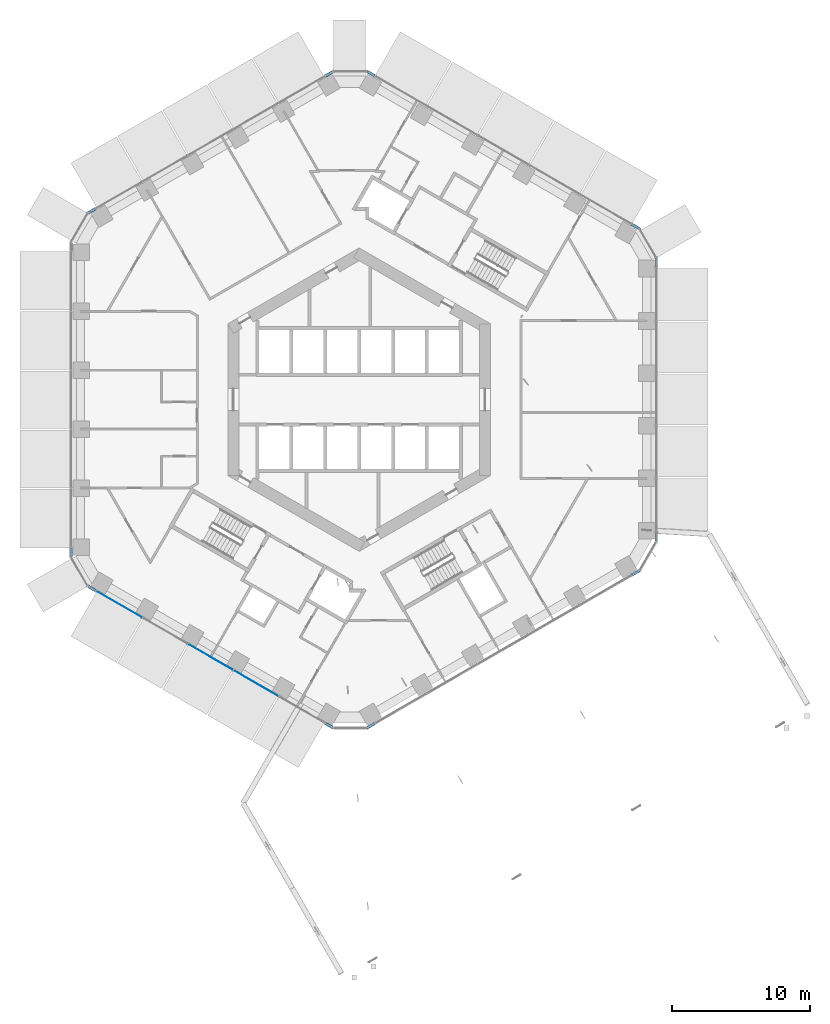
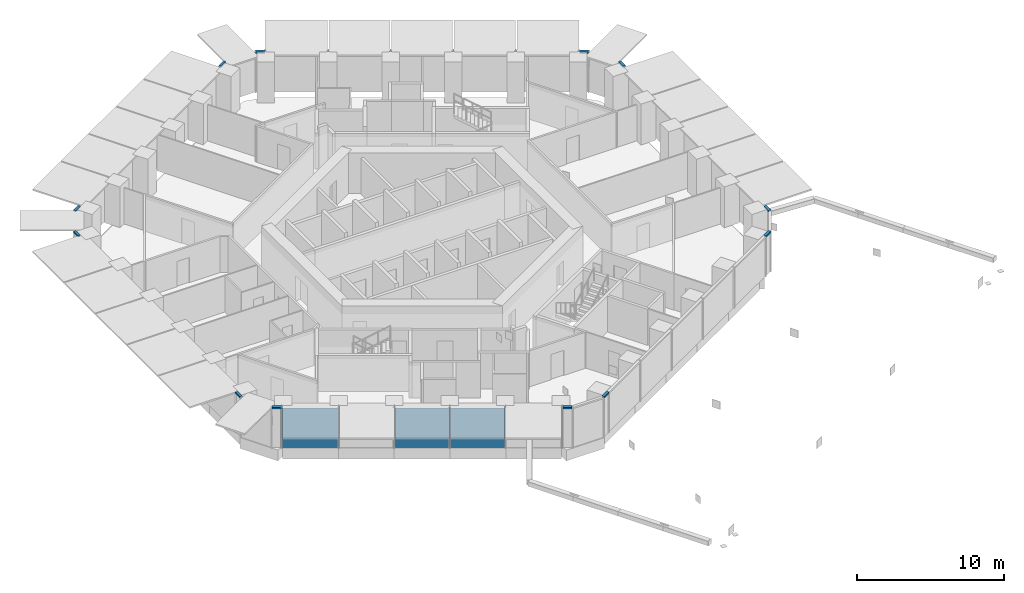
# One storey, part 7 of 22: 12 members, 3 plates, 7 elements without a shape of their own.
"""IFC4 building model written with IfcOpenShell, lengths in metres."""

from ifc_helpers import new_model, si_unit, direction, frame, origin, origin_2d, place, context, subcontext, project, spatial, rectangle, extrude, material, layer, layer_set, material_profile, profile_set, type_object, element, aggregate, save


model = new_model("IFC4")

# Units and contexts
model_context = context("Model", 3, precision=1e-05, world=origin(), true_north=direction((0.0, 1.0)))
body_context = subcontext(model_context, "Body", "Model", "MODEL_VIEW")
ifc_project = project(units=[si_unit("LENGTHUNIT", "METRE"), si_unit("AREAUNIT", "SQUARE_METRE"), si_unit("VOLUMEUNIT", "CUBIC_METRE"), si_unit("PLANEANGLEUNIT", "RADIAN"), si_unit("MASSUNIT", "GRAM", prefix="KILO")], contexts=[model_context])

# Site, building, storey
site_placement = place(None, origin())
site = spatial("IfcSite", under=ifc_project, at=site_placement, CompositionType="ELEMENT")
building_placement = place(site_placement, origin())
building = spatial("IfcBuilding", under=site, at=building_placement, Name="Ayvan Gate Tower", CompositionType="ELEMENT")
storey_placement = place(building_placement, frame((0.0, 0.0, 62.89990234375)))
storey = spatial("IfcBuildingStorey", under=building, at=storey_placement, Name="L16", CompositionType="ELEMENT", Elevation=62.89990234375)

# Curtain wall, members
ifc_material_1 = material(Name="Bronze anodised aluminium", Category="aluminium")
ifc_layer_1 = layer(ifc_material_1, 0.199951171875)
ifc_layer_set_1 = layer_set([ifc_layer_1], Name="Bronze anodised aluminium")
curtain_wall_type_1 = type_object("IfcCurtainWallType", Name="Stick curtain wall CW-6", PredefinedType="NOTDEFINED", material=ifc_layer_set_1)
curtain_wall_1_placement = place(storey_placement, origin())
curtain_wall_1 = element("IfcCurtainWall", 1, at=curtain_wall_1_placement, inside=storey, type_object=curtain_wall_type_1, Name="Stick curtain wall CW-6 L16", PredefinedType="NOTDEFINED")
ifc_material_profile = material_profile(ifc_material_1, rectangle(XDim=0.199951171875, YDim=0.1201171875, at=origin_2d()), Name="Stick curtain wall CW-6 transom 200 x 120")
ifc_profile_set = profile_set([ifc_material_profile], Name="Bronze anodised aluminium")
member_type = type_object("IfcMemberType", Name="Stick curtain wall CW-6 transom 200 x 120", PredefinedType="USERDEFINED", material=ifc_profile_set)
member_1_placement = place(storey_placement, frame((-19.0615234375, 13.802978515625, 3.340087890625), z_axis=(-0.866022959057, -0.500004234368, 0.0), x_axis=(0.500004234368, -0.866022959057, 0.0)))
member_1 = element("IfcMember", 2, at=member_1_placement, type_object=member_type, Name="CW-6 transom 1", ObjectType="TRANSOM", PredefinedType="USERDEFINED", context=body_context, shape_type="SweptSolid", body=[
    extrude(rectangle(XDim=0.199951171875, YDim=0.1201171875, at=origin_2d()), origin(), (0.0, 0.0, 1.0), 0.625),
])
member_2_placement = place(storey_placement, frame((-20.831787109375, 11.362060546875, 3.340087890625), z_axis=(0.0, -1.0, 0.0), x_axis=(1.0, 0.0, 0.0)))
member_2 = element("IfcMember", 3, at=member_2_placement, type_object=member_type, Name="CW-6 transom 2", ObjectType="TRANSOM", PredefinedType="USERDEFINED", context=body_context, shape_type="SweptSolid", body=[
    extrude(rectangle(XDim=0.199951171875, YDim=0.1201171875, at=origin_2d()), origin(), (0.0, 0.0, 1.0), 0.625),
])
aggregate(curtain_wall_1, [member_1, member_2])

curtain_wall_2_placement = place(storey_placement, origin())
curtain_wall_2 = element("IfcCurtainWall", 4, at=curtain_wall_2_placement, inside=storey, type_object=curtain_wall_type_1, Name="Stick curtain wall CW-6 L16", PredefinedType="NOTDEFINED")
member_3_placement = place(storey_placement, frame((-20.831787109375, -10.737060546875, 3.340087890625), z_axis=(0.0, -1.0, 0.0), x_axis=(1.0, 0.0, 0.0)))
member_3 = element("IfcMember", 5, at=member_3_placement, type_object=member_type, Name="CW-6 transom 1", ObjectType="TRANSOM", PredefinedType="USERDEFINED", context=body_context, shape_type="SweptSolid", body=[
    extrude(rectangle(XDim=0.199951171875, YDim=0.1201171875, at=origin_2d()), origin(), (0.0, 0.0, 1.0), 0.625),
])
member_4_placement = place(storey_placement, frame((-19.602783203125, -13.490478515625, 3.340087890625), z_axis=(0.866022959057, -0.500004234368, 0.0), x_axis=(0.500004234368, 0.866022959057, 0.0)))
member_4 = element("IfcMember", 6, at=member_4_placement, type_object=member_type, Name="CW-6 transom 2", ObjectType="TRANSOM", PredefinedType="USERDEFINED", context=body_context, shape_type="SweptSolid", body=[
    extrude(rectangle(XDim=0.199951171875, YDim=0.1201171875, at=origin_2d()), origin(), (0.0, 0.0, 1.0), 0.625),
])
aggregate(curtain_wall_2, [member_3, member_4])

curtain_wall_3_placement = place(storey_placement, origin())
curtain_wall_3 = element("IfcCurtainWall", 7, at=curtain_wall_3_placement, inside=storey, type_object=curtain_wall_type_1, Name="Stick curtain wall CW-6 L16", PredefinedType="NOTDEFINED")
member_5_placement = place(storey_placement, frame((-2.423095703125, -23.409423828125, 3.340087890625), z_axis=(0.866022959057, -0.500004234368, 0.0), x_axis=(0.500004234368, 0.866022959057, 0.0)))
member_5 = element("IfcMember", 8, at=member_5_placement, type_object=member_type, Name="CW-6 transom 1", ObjectType="TRANSOM", PredefinedType="USERDEFINED", context=body_context, shape_type="SweptSolid", body=[
    extrude(rectangle(XDim=0.199951171875, YDim=0.1201171875, at=origin_2d()), origin(), (0.0, 0.0, 1.0), 0.625),
])
member_6_placement = place(storey_placement, frame((0.576171875, -23.721923828125, 3.340087890625), z_axis=(0.866022959057, 0.500004234368, 0.0), x_axis=(-0.500004234368, 0.866022959057, 0.0)))
member_6 = element("IfcMember", 9, at=member_6_placement, type_object=member_type, Name="CW-6 transom 3", ObjectType="TRANSOM", PredefinedType="USERDEFINED", context=body_context, shape_type="SweptSolid", body=[
    extrude(rectangle(XDim=0.199951171875, YDim=0.1201171875, at=origin_2d()), origin(), (0.0, 0.0, 1.0), 0.625),
])
aggregate(curtain_wall_3, [member_5, member_6])

curtain_wall_4_placement = place(storey_placement, origin())
curtain_wall_4 = element("IfcCurtainWall", 10, at=curtain_wall_4_placement, inside=storey, type_object=curtain_wall_type_1, Name="Stick curtain wall CW-6 L16", PredefinedType="NOTDEFINED")
member_7_placement = place(storey_placement, frame((19.71435546875, -12.67236328125, 3.340087890625), z_axis=(0.866022959057, 0.500004234368, 0.0), x_axis=(-0.500004234368, 0.866022959057, 0.0)))
member_7 = element("IfcMember", 11, at=member_7_placement, type_object=member_type, Name="CW-6 transom 1", ObjectType="TRANSOM", PredefinedType="USERDEFINED", context=body_context, shape_type="SweptSolid", body=[
    extrude(rectangle(XDim=0.199951171875, YDim=0.1201171875, at=origin_2d()), origin(), (0.0, 0.0, 1.0), 0.625),
])
member_8_placement = place(storey_placement, frame((21.484619140625, -10.231201171875, 3.340087890625), z_axis=(0.0, 1.0, 0.0), x_axis=(-1.0, 0.0, 0.0)))
member_8 = element("IfcMember", 12, at=member_8_placement, type_object=member_type, Name="CW-6 transom 3", ObjectType="TRANSOM", PredefinedType="USERDEFINED", context=body_context, shape_type="SweptSolid", body=[
    extrude(rectangle(XDim=0.199951171875, YDim=0.1201171875, at=origin_2d()), origin(), (0.0, 0.0, 1.0), 0.625),
])
aggregate(curtain_wall_4, [member_7, member_8])

curtain_wall_5_placement = place(storey_placement, origin())
curtain_wall_5 = element("IfcCurtainWall", 13, at=curtain_wall_5_placement, inside=storey, type_object=curtain_wall_type_1, Name="Stick curtain wall CW-6 L16", PredefinedType="NOTDEFINED")
member_9_placement = place(storey_placement, frame((21.484619140625, 9.606201171875, 3.340087890625), z_axis=(0.0, 1.0, 0.0), x_axis=(-1.0, 0.0, 0.0)))
member_9 = element("IfcMember", 14, at=member_9_placement, type_object=member_type, Name="CW-6 transom 1", ObjectType="TRANSOM", PredefinedType="USERDEFINED", context=body_context, shape_type="SweptSolid", body=[
    extrude(rectangle(XDim=0.199951171875, YDim=0.1201171875, at=origin_2d()), origin(), (0.0, 0.0, 1.0), 0.625),
])
member_10_placement = place(storey_placement, frame((20.255615234375, 12.35986328125, 3.340087890625), z_axis=(-0.866022959057, 0.500004234368, 0.0), x_axis=(-0.500004234368, -0.866022959057, 0.0)))
member_10 = element("IfcMember", 15, at=member_10_placement, type_object=member_type, Name="CW-6 transom 2", ObjectType="TRANSOM", PredefinedType="USERDEFINED", context=body_context, shape_type="SweptSolid", body=[
    extrude(rectangle(XDim=0.199951171875, YDim=0.1201171875, at=origin_2d()), origin(), (0.0, 0.0, 1.0), 0.625),
])
aggregate(curtain_wall_5, [member_9, member_10])

curtain_wall_6_placement = place(storey_placement, origin())
curtain_wall_6 = element("IfcCurtainWall", 16, at=curtain_wall_6_placement, inside=storey, type_object=curtain_wall_type_1, Name="Stick curtain wall CW-6 L16", PredefinedType="NOTDEFINED")
member_11_placement = place(storey_placement, frame((1.117431640625, 23.409423828125, 3.340087890625), z_axis=(-0.866022959057, 0.500004234368, 0.0), x_axis=(-0.500004234368, -0.866022959057, 0.0)))
member_11 = element("IfcMember", 17, at=member_11_placement, type_object=member_type, Name="CW-6 transom 1", ObjectType="TRANSOM", PredefinedType="USERDEFINED", context=body_context, shape_type="SweptSolid", body=[
    extrude(rectangle(XDim=0.199951171875, YDim=0.1201171875, at=origin_2d()), origin(), (0.0, 0.0, 1.0), 0.625),
])
member_12_placement = place(storey_placement, frame((-1.8818359375, 23.721923828125, 3.340087890625), z_axis=(-0.866022959057, -0.500004234368, 0.0), x_axis=(0.500004234368, -0.866022959057, 0.0)))
member_12 = element("IfcMember", 18, at=member_12_placement, type_object=member_type, Name="CW-6 transom 2", ObjectType="TRANSOM", PredefinedType="USERDEFINED", context=body_context, shape_type="SweptSolid", body=[
    extrude(rectangle(XDim=0.199951171875, YDim=0.1201171875, at=origin_2d()), origin(), (0.0, 0.0, 1.0), 0.625),
])
aggregate(curtain_wall_6, [member_11, member_12])

# Curtain wall, plates
ifc_layer_2 = layer(ifc_material_1, 0.199951171875)
ifc_layer_set_2 = layer_set([ifc_layer_2], Name="Bronze anodised aluminium")
curtain_wall_type_2 = type_object("IfcCurtainWallType", Name="Stick curtain wall CW-1", PredefinedType="NOTDEFINED", material=ifc_layer_set_2)
curtain_wall_7_placement = place(storey_placement, origin())
curtain_wall_7 = element("IfcCurtainWall", 19, at=curtain_wall_7_placement, inside=storey, type_object=curtain_wall_type_2, Name="Stick curtain wall CW-1 L16", PredefinedType="NOTDEFINED")
ifc_material_2 = material(Name="Clear low-iron laminated glass", Category="glass")
ifc_layer_3 = layer(ifc_material_2, 0.028076171875)
ifc_layer_set_3 = layer_set([ifc_layer_3], Name="Clear low-iron laminated glass")
plate_type = type_object("IfcPlateType", Name="Stick curtain wall CW-1 glass panel", PredefinedType="CURTAIN_PANEL", material=ifc_layer_set_3)
plate_1_placement = place(storey_placement, frame((-17.364990234375, -14.782470703125, 0.0), z_axis=(0.0, 0.0, 1.0), x_axis=(0.866025403784, -0.5, 0.0)))
plate_1 = element("IfcPlate", 20, at=plate_1_placement, type_object=plate_type, Name="CW-1 glass panel 1", PredefinedType="CURTAIN_PANEL", context=body_context, shape_type="SweptSolid", body=[
    extrude(rectangle(XDim=3.85791015625, YDim=0.028076171875, at=origin_2d()), origin(), (0.0, 0.0, 1.0), 3.280029296875),
])
plate_2_placement = place(storey_placement, frame((-10.74267578125, -18.60595703125, 0.0), z_axis=(0.0, 0.0, 1.0), x_axis=(0.866025403784, -0.5, 0.0)))
plate_2 = element("IfcPlate", 21, at=plate_2_placement, type_object=plate_type, Name="CW-1 glass panel 3", PredefinedType="CURTAIN_PANEL", context=body_context, shape_type="SweptSolid", body=[
    extrude(rectangle(XDim=3.73193359375, YDim=0.028076171875, at=origin_2d()), origin(), (0.0, 0.0, 1.0), 3.280029296875),
])
plate_3_placement = place(storey_placement, frame((-7.45849609375, -20.501953125, 0.0), z_axis=(0.0, 0.0, 1.0), x_axis=(0.866025403784, -0.5, 0.0)))
plate_3 = element("IfcPlate", 22, at=plate_3_placement, type_object=plate_type, Name="CW-1 glass panel 4", PredefinedType="CURTAIN_PANEL", context=body_context, shape_type="SweptSolid", body=[
    extrude(rectangle(XDim=3.73193359375, YDim=0.028076171875, at=origin_2d()), origin(), (0.0, 0.0, 1.0), 3.280029296875),
])
aggregate(curtain_wall_7, [plate_1, plate_2, plate_3])

save(model, "model.ifc")
